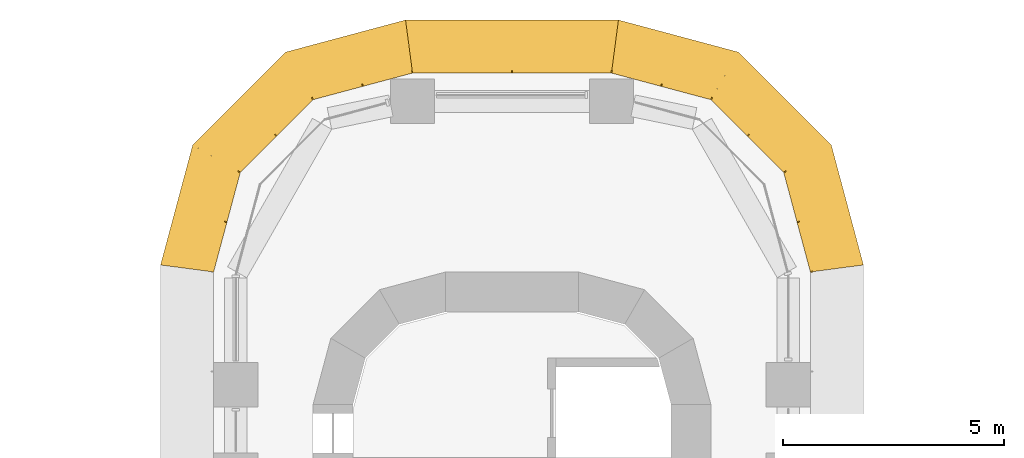
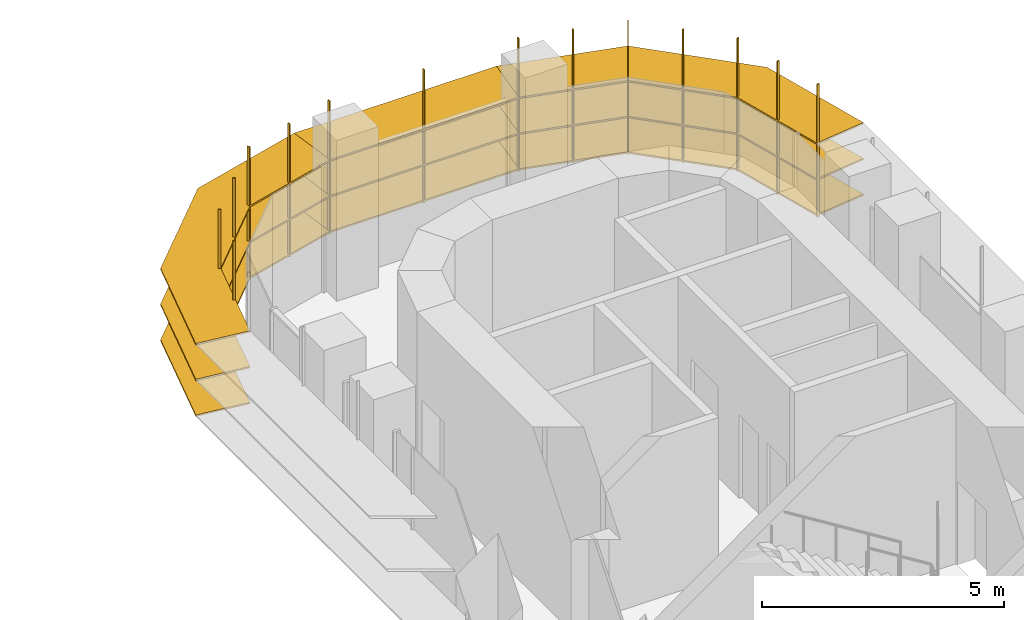
# One storey, part 23 of 23: 3 shading devices.
"""IFC4 building model written with IfcOpenShell, lengths in metres."""

from ifc_helpers import new_model, si_unit, direction, frame, origin, place, context, subcontext, project, spatial, polyline, outline, extrude, faceted_brep, source, transform, mapped, material, type_object, element, save


model = new_model("IFC4")

# Units and contexts
model_context = context("Model", 3, precision=1e-05, world=origin(), true_north=direction((0.0, 1.0)))
body_context = subcontext(model_context, "Body", "Model", "MODEL_VIEW")
ifc_project = project(units=[si_unit("LENGTHUNIT", "METRE"), si_unit("AREAUNIT", "SQUARE_METRE"), si_unit("VOLUMEUNIT", "CUBIC_METRE"), si_unit("PLANEANGLEUNIT", "RADIAN"), si_unit("MASSUNIT", "GRAM", prefix="KILO")], contexts=[model_context])

# Site, building, storey
site_placement = place(None, origin())
site = spatial("IfcSite", under=ifc_project, at=site_placement, CompositionType="ELEMENT")
building_placement = place(site_placement, origin())
building = spatial("IfcBuilding", under=site, at=building_placement, Name="Zarbagh Exchange Tower", CompositionType="ELEMENT")
storey_placement = place(building_placement, frame((0.0, 0.0, 43.800048828125)))
storey = spatial("IfcBuildingStorey", under=building, at=storey_placement, Name="L09", CompositionType="ELEMENT", Elevation=43.800048828125)

# Shading devices
ifc_material = material(Name="Anodised aluminium blades and brackets", Category="aluminium")
shading_device_type = type_object("IfcShadingDeviceType", Name="SUNSHADE louvre band, 0 degree blades", PredefinedType="JALOUSIE", material=ifc_material)
shared_shape_1 = source(origin(), body_context, "Body", "Brep", [
    faceted_brep([(0.0, 0.0, 0.0), (0.0, 0.0, -0.0400390625), (-0.157958984375, -1.199951171875, -0.0400390625), (-0.157958984375, -1.199951171875, 0.0), (2.65087890625, -1.199951171875, 0.0), (2.65087890625, -1.199951171875, -0.0400390625), (2.329345703125, 0.0, -0.0400390625), (2.329345703125, 0.0, 0.0)], [[[0, 1, 2, 3]], [[4, 5, 6, 7]], [[0, 7, 6, 1]], [[1, 6, 5, 2]], [[2, 5, 4, 3]], [[3, 4, 7, 0]]]),
])
shared_shape_2 = source(origin(), body_context, "Body", "Brep", [
    faceted_brep([(0.0, 0.0, 0.0), (0.0, 0.0, -0.0400390625), (-0.321533203125, -1.199951171875, -0.0400390625), (-0.321533203125, -1.199951171875, 0.0), (2.65087890625, -1.199951171875, 0.0), (2.65087890625, -1.199951171875, -0.0400390625), (2.329345703125, 0.0, -0.0400390625), (2.329345703125, 0.0, 0.0)], [[[0, 1, 2, 3]], [[4, 5, 6, 7]], [[0, 7, 6, 1]], [[1, 6, 5, 2]], [[2, 5, 4, 3]], [[3, 4, 7, 0]]]),
])
shared_shape_3 = source(origin(), body_context, "Body", "Brep", [
    faceted_brep([(0.0, 0.0, 0.0), (0.0, 0.0, -0.0400390625), (-0.321533203125, -1.199951171875, -0.0400390625), (-0.321533203125, -1.199951171875, 0.0), (2.4873046875, -1.199951171875, 0.0), (2.4873046875, -1.199951171875, -0.0400390625), (2.329345703125, 0.0, -0.0400390625), (2.329345703125, 0.0, 0.0)], [[[0, 1, 2, 3]], [[4, 5, 6, 7]], [[0, 7, 6, 1]], [[1, 6, 5, 2]], [[2, 5, 4, 3]], [[3, 4, 7, 0]]]),
])
shared_shape_4 = source(origin(), body_context, "Body", "SweptSolid", [
    extrude(outline(polyline([(0.0, -0.012451171875), (0.06005859375, -0.012451171875), (0.06005859375, 0.012451171875), (0.0, 0.012451171875), (0.0, -0.012451171875)])), origin(), (0.0, 0.0, 1.0), 3.35009765625),
])
placement = place(storey_placement, origin())
element("IfcShadingDevice", 1, at=placement, inside=storey, type_object=shading_device_type, Name="SS11 sunshade band", PredefinedType="JALOUSIE", context=body_context, shape_type="MappedRepresentation", body=[
    mapped(shared_shape_1, transform((6.75, 29.25, 2.699951171875), x_axis=(-0.258824779902, 0.965924289636, 0.0), y_axis=(-0.965924289636, -0.258824779902, 0.0), z_axis=(0.0, 0.0, 1.0))),
    mapped(shared_shape_1, transform((6.75, 29.25, 1.800048828125), x_axis=(-0.258824779902, 0.965924289636, 0.0), y_axis=(-0.965924289636, -0.258824779902, 0.0), z_axis=(0.0, 0.0, 1.0))),
    mapped(shared_shape_1, transform((6.75, 29.25, 0.89990234375), x_axis=(-0.258824779902, 0.965924289636, 0.0), y_axis=(-0.965924289636, -0.258824779902, 0.0), z_axis=(0.0, 0.0, 1.0))),
    mapped(shared_shape_2, transform((6.147216796875, 31.5, 2.699951171875), x_axis=(-0.707106781187, 0.707106781187, 0.0), y_axis=(-0.707106781187, -0.707106781187, 0.0), z_axis=(0.0, 0.0, 1.0))),
    mapped(shared_shape_2, transform((6.147216796875, 31.5, 1.800048828125), x_axis=(-0.707106781187, 0.707106781187, 0.0), y_axis=(-0.707106781187, -0.707106781187, 0.0), z_axis=(0.0, 0.0, 1.0))),
    mapped(shared_shape_2, transform((6.147216796875, 31.5, 0.89990234375), x_axis=(-0.707106781187, 0.707106781187, 0.0), y_axis=(-0.707106781187, -0.707106781187, 0.0), z_axis=(0.0, 0.0, 1.0))),
    mapped(shared_shape_3, transform((4.5, 33.147216796875, 2.699951171875), x_axis=(-0.965924289636, 0.258824779902, 0.0), y_axis=(-0.258824779902, -0.965924289636, 0.0), z_axis=(0.0, 0.0, 1.0))),
    mapped(shared_shape_3, transform((4.5, 33.147216796875, 1.800048828125), x_axis=(-0.965924289636, 0.258824779902, 0.0), y_axis=(-0.258824779902, -0.965924289636, 0.0), z_axis=(0.0, 0.0, 1.0))),
    mapped(shared_shape_3, transform((4.5, 33.147216796875, 0.89990234375), x_axis=(-0.965924289636, 0.258824779902, 0.0), y_axis=(-0.258824779902, -0.965924289636, 0.0), z_axis=(0.0, 0.0, 1.0))),
    mapped(shared_shape_4, transform((6.75, 29.25, 0.829833984375), x_axis=(0.991444457092, 0.130529263012, 0.0), y_axis=(-0.130529263012, 0.991444457092, 0.0), z_axis=(0.0, 0.0, 1.0))),
    mapped(shared_shape_4, transform((6.448486328125, 30.375, 0.829833984375), x_axis=(0.96592421511, 0.258825058029, 0.0), y_axis=(-0.258825058029, 0.96592421511, 0.0), z_axis=(0.0, 0.0, 1.0))),
    mapped(shared_shape_4, transform((6.147216796875, 31.5, 0.829833984375), x_axis=(0.866023812018, 0.50000275701, 0.0), y_axis=(-0.50000275701, 0.866023812018, 0.0), z_axis=(0.0, 0.0, 1.0))),
    mapped(shared_shape_4, transform((5.323486328125, 32.323486328125, 0.829833984375), x_axis=(0.707106781187, 0.707106781187, 0.0), y_axis=(-0.707106781187, 0.707106781187, 0.0), z_axis=(0.0, 0.0, 1.0))),
    mapped(shared_shape_4, transform((4.5, 33.147216796875, 0.829833984375), x_axis=(0.50000275701, 0.866023812018, 0.0), y_axis=(-0.866023812018, 0.50000275701, 0.0), z_axis=(0.0, 0.0, 1.0))),
    mapped(shared_shape_4, transform((3.375, 33.448486328125, 0.829833984375), x_axis=(0.258825058029, 0.96592421511, 0.0), y_axis=(-0.96592421511, 0.258825058029, 0.0), z_axis=(0.0, 0.0, 1.0))),
])
element("IfcShadingDevice", 2, at=placement, inside=storey, type_object=shading_device_type, Name="SS13 sunshade band", PredefinedType="JALOUSIE", context=body_context, shape_type="MappedRepresentation", body=[
    mapped(shared_shape_1, transform((-2.25, 33.75, 2.699951171875), x_axis=(-0.965924289636, -0.258824779902, 0.0), y_axis=(0.258824779902, -0.965924289636, 0.0), z_axis=(0.0, 0.0, 1.0))),
    mapped(shared_shape_1, transform((-2.25, 33.75, 1.800048828125), x_axis=(-0.965924289636, -0.258824779902, 0.0), y_axis=(0.258824779902, -0.965924289636, 0.0), z_axis=(0.0, 0.0, 1.0))),
    mapped(shared_shape_1, transform((-2.25, 33.75, 0.89990234375), x_axis=(-0.965924289636, -0.258824779902, 0.0), y_axis=(0.258824779902, -0.965924289636, 0.0), z_axis=(0.0, 0.0, 1.0))),
    mapped(shared_shape_2, transform((-4.5, 33.147216796875, 2.699951171875), x_axis=(-0.707106781187, -0.707106781187, 0.0), y_axis=(0.707106781187, -0.707106781187, 0.0), z_axis=(0.0, 0.0, 1.0))),
    mapped(shared_shape_2, transform((-4.5, 33.147216796875, 1.800048828125), x_axis=(-0.707106781187, -0.707106781187, 0.0), y_axis=(0.707106781187, -0.707106781187, 0.0), z_axis=(0.0, 0.0, 1.0))),
    mapped(shared_shape_2, transform((-4.5, 33.147216796875, 0.89990234375), x_axis=(-0.707106781187, -0.707106781187, 0.0), y_axis=(0.707106781187, -0.707106781187, 0.0), z_axis=(0.0, 0.0, 1.0))),
    mapped(shared_shape_3, transform((-6.147216796875, 31.5, 2.699951171875), x_axis=(-0.258824779902, -0.965924289636, 0.0), y_axis=(0.965924289636, -0.258824779902, 0.0), z_axis=(0.0, 0.0, 1.0))),
    mapped(shared_shape_3, transform((-6.147216796875, 31.5, 1.800048828125), x_axis=(-0.258824779902, -0.965924289636, 0.0), y_axis=(0.965924289636, -0.258824779902, 0.0), z_axis=(0.0, 0.0, 1.0))),
    mapped(shared_shape_3, transform((-6.147216796875, 31.5, 0.89990234375), x_axis=(-0.258824779902, -0.965924289636, 0.0), y_axis=(0.965924289636, -0.258824779902, 0.0), z_axis=(0.0, 0.0, 1.0))),
    mapped(shared_shape_4, transform((-2.25, 33.75, 0.829833984375), x_axis=(-0.130529263012, 0.991444457092, 0.0), y_axis=(-0.991444457092, -0.130529263012, 0.0), z_axis=(0.0, 0.0, 1.0))),
    mapped(shared_shape_4, transform((-3.375, 33.448486328125, 0.829833984375), x_axis=(-0.258825058029, 0.96592421511, 0.0), y_axis=(-0.96592421511, -0.258825058029, 0.0), z_axis=(0.0, 0.0, 1.0))),
    mapped(shared_shape_4, transform((-4.5, 33.147216796875, 0.829833984375), x_axis=(-0.50000275701, 0.866023812018, 0.0), y_axis=(-0.866023812018, -0.50000275701, 0.0), z_axis=(0.0, 0.0, 1.0))),
    mapped(shared_shape_4, transform((-5.323486328125, 32.323486328125, 0.829833984375), x_axis=(-0.707106781187, 0.707106781187, 0.0), y_axis=(-0.707106781187, -0.707106781187, 0.0), z_axis=(0.0, 0.0, 1.0))),
    mapped(shared_shape_4, transform((-6.147216796875, 31.5, 0.829833984375), x_axis=(-0.866023812018, 0.50000275701, 0.0), y_axis=(-0.50000275701, -0.866023812018, 0.0), z_axis=(0.0, 0.0, 1.0))),
    mapped(shared_shape_4, transform((-6.448486328125, 30.375, 0.829833984375), x_axis=(-0.96592421511, 0.258825058029, 0.0), y_axis=(-0.258825058029, -0.96592421511, 0.0), z_axis=(0.0, 0.0, 1.0))),
])
shared_shape_5 = source(origin(), body_context, "Body", "Brep", [
    faceted_brep([(0.0, 0.0, 0.0), (0.0, 0.0, -0.0400390625), (-0.157958984375, -1.199951171875, -0.0400390625), (-0.157958984375, -1.199951171875, 0.0), (4.657958984375, -1.199951171875, 0.0), (4.657958984375, -1.199951171875, -0.0400390625), (4.5, 0.0, -0.0400390625), (4.5, 0.0, 0.0)], [[[0, 1, 2, 3]], [[4, 5, 6, 7]], [[0, 7, 6, 1]], [[1, 6, 5, 2]], [[2, 5, 4, 3]], [[3, 4, 7, 0]]]),
])
element("IfcShadingDevice", 3, at=placement, inside=storey, type_object=shading_device_type, Name="SS12 sunshade band", PredefinedType="JALOUSIE", context=body_context, shape_type="MappedRepresentation", body=[
    mapped(shared_shape_5, transform((2.25, 33.75, 2.699951171875), x_axis=(-1.0, 0.0, 0.0), y_axis=(0.0, -1.0, 0.0), z_axis=(0.0, 0.0, 1.0))),
    mapped(shared_shape_5, transform((2.25, 33.75, 1.800048828125), x_axis=(-1.0, 0.0, 0.0), y_axis=(0.0, -1.0, 0.0), z_axis=(0.0, 0.0, 1.0))),
    mapped(shared_shape_5, transform((2.25, 33.75, 0.89990234375), x_axis=(-1.0, 0.0, 0.0), y_axis=(0.0, -1.0, 0.0), z_axis=(0.0, 0.0, 1.0))),
    mapped(shared_shape_4, transform((2.25, 33.75, 0.829833984375), x_axis=(0.130529263012, 0.991444457092, 0.0), y_axis=(-0.991444457092, 0.130529263012, 0.0), z_axis=(0.0, 0.0, 1.0))),
    mapped(shared_shape_4, transform((0.0, 33.75, 0.829833984375), x_axis=(0.0, 1.0, 0.0), y_axis=(-1.0, 0.0, 0.0), z_axis=(0.0, 0.0, 1.0))),
])

save(model, "model.ifc")
